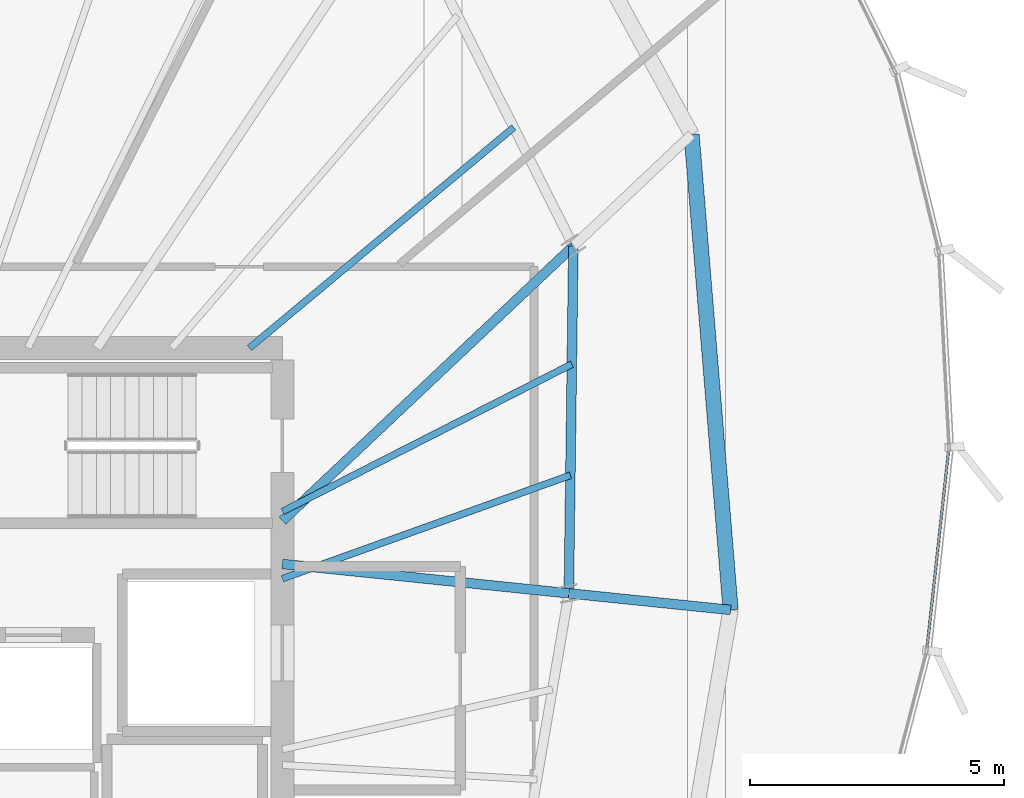
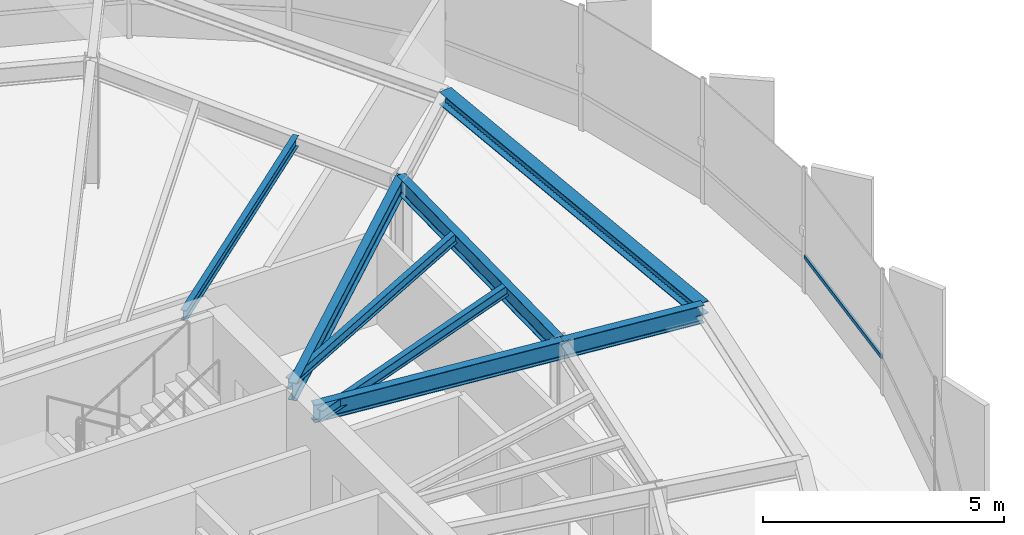
# One storey, part 17 of 36: 8 beams, 1 member, 1 element without a shape of its own.
"""IFC4 building model written with IfcOpenShell, lengths in metres."""

import ifcopenshell
import ifcopenshell.guid

model = None  # the IFC model being written
_history = None  # IfcOwnerHistory: only IFC2X3 demands one
_inside = {}  # id of a spatial element -> (the spatial element, [elements in it])
_under = {}  # id of a project, library or spatial element -> (it, [spatial elements below it])
_declared = {}  # id of a project -> (the project, [libraries it declares])
_typed = {}  # id of a type object -> (the type object, [elements of that type])
_made_of = {}  # id of a material, layer set ... -> (it, [elements and type objects made of it])


def new_model(schema):
    """Start an empty IFC model of exactly this schema.

    Asked for "IFC4X3", IfcOpenShell would pick the latest addendum, in which some entities
    have other attributes; the version numbers below select the first issue.
    IFC2X3 requires an IfcOwnerHistory on every rooted entity: one is made here for all.
    """
    global model, _history
    if schema == "IFC4X3":
        model = ifcopenshell.file(schema_version=(4, 3, 0, 0))
    else:
        model = ifcopenshell.file(schema=schema)
    _inside.clear()
    _under.clear()
    _declared.clear()
    _typed.clear()
    _made_of.clear()
    _history = None
    if model.schema == "IFC2X3":
        org = make("IfcOrganization", Name="unknown")
        user = make(
            "IfcPersonAndOrganization",
            ThePerson=make("IfcPerson", FamilyName="unknown"),
            TheOrganization=org,
        )
        app = make(
            "IfcApplication",
            ApplicationDeveloper=org,
            Version="unknown",
            ApplicationFullName="unknown",
            ApplicationIdentifier="unknown",
        )
        _history = make(
            "IfcOwnerHistory",
            OwningUser=user,
            OwningApplication=app,
            ChangeAction="ADDED",
            CreationDate=0,
        )
    return model


def make(cls, **values):
    """One entity of the class cls with the attributes given. An attribute that is None is left unset."""
    return model.create_entity(
        cls, **{name: value for name, value in values.items() if value is not None}
    )


def rooted(cls, **values):
    """An entity with a GlobalId (a new one), such as an element, a storey or a relation."""
    return make(cls, GlobalId=ifcopenshell.guid.new(), OwnerHistory=_history, **values)


def si_unit(unit_type, name, prefix=None):
    """IfcSIUnit, for example si_unit("LENGTHUNIT", "METRE", prefix="MILLI")."""
    return make("IfcSIUnit", UnitType=unit_type, Prefix=prefix, Name=name)


def assignment(units):
    """IfcUnitAssignment: the units of a project."""
    return None if units is None else make("IfcUnitAssignment", Units=units)


def point(xyz):
    """IfcCartesianPoint."""
    return None if xyz is None else make("IfcCartesianPoint", Coordinates=xyz)


def direction(xyz):
    """IfcDirection."""
    return None if xyz is None else make("IfcDirection", DirectionRatios=xyz)


def frame(location, z_axis=None, x_axis=None):
    """IfcAxis2Placement3D, a coordinate frame: its origin and axes. An axis left out is left unset."""
    return make(
        "IfcAxis2Placement3D",
        Location=point(location),
        Axis=direction(z_axis),
        RefDirection=direction(x_axis),
    )


def frame_2d(location, x_axis=None):
    """IfcAxis2Placement2D, a coordinate frame in the plane: its origin and x axis."""
    return make(
        "IfcAxis2Placement2D", Location=point(location), RefDirection=direction(x_axis)
    )


def origin():
    """The frame at (0, 0, 0) with its axes left unset."""
    return frame((0.0, 0.0, 0.0))


def origin_2d():
    """The frame at (0, 0) in the plane with its x axis left unset."""
    return frame_2d((0.0, 0.0))


def place(relative_to, where):
    """IfcLocalPlacement: puts the frame where relative to a parent placement (None: the world)."""
    return make(
        "IfcLocalPlacement", PlacementRelTo=relative_to, RelativePlacement=where
    )


def context(
    kind, dimensions, precision=None, world=None, true_north=None, identifier=None
):
    """IfcGeometricRepresentationContext, for example the 3D "Model" context."""
    return make(
        "IfcGeometricRepresentationContext",
        ContextIdentifier=identifier,
        ContextType=kind,
        CoordinateSpaceDimension=dimensions,
        Precision=precision,
        WorldCoordinateSystem=world,
        TrueNorth=true_north,
    )


def subcontext(parent, identifier, kind, view, scale=None):
    """IfcGeometricRepresentationSubContext, for example "Body" below "Model"."""
    return make(
        "IfcGeometricRepresentationSubContext",
        ContextIdentifier=identifier,
        ContextType=kind,
        ParentContext=parent,
        TargetScale=scale,
        TargetView=view,
    )


def project(units=None, contexts=None):
    """IfcProject with its units and contexts."""
    return rooted(
        "IfcProject",
        Name="project",
        RepresentationContexts=contexts,
        UnitsInContext=assignment(units),
    )


def spatial(cls, under=None, at=None, **own):
    """A site, building, storey or space (cls), placed at a placement, below another one or the project."""
    s = rooted(cls, ObjectPlacement=at, **own)
    if under is not None:
        _under.setdefault(under.id(), (under, []))[1].append(s)
    return s


def profile(cls, at=None, kind="AREA", **sizes):
    """A parametric profile (cls). Its sizes go by their IFC names, for example OverallWidth=200.0."""
    return make(cls, ProfileType=kind, Position=at, **sizes)


def hollow_rectangle(**sizes):
    """IfcRectangleHollowProfileDef."""
    return profile("IfcRectangleHollowProfileDef", **sizes)


def i_section(**sizes):
    """IfcIShapeProfileDef."""
    return profile("IfcIShapeProfileDef", **sizes)


def extrude(swept, where, along, depth):
    """IfcExtrudedAreaSolid: the profile swept, set in the frame where, extruded along a direction by depth."""
    return make(
        "IfcExtrudedAreaSolid",
        SweptArea=swept,
        Position=where,
        ExtrudedDirection=direction(along),
        Depth=depth,
    )


def shape(context_of_items, identifier, shape_type, items):
    """IfcShapeRepresentation: the items that make up one representation, for example the "Body"."""
    return make(
        "IfcShapeRepresentation",
        ContextOfItems=context_of_items,
        RepresentationIdentifier=identifier,
        RepresentationType=shape_type,
        Items=items,
    )


def source(mapping_origin, context_of_items, identifier, shape_type, items):
    """IfcRepresentationMap: a shape defined once, which mapped items show again and again."""
    return make(
        "IfcRepresentationMap",
        MappingOrigin=mapping_origin,
        MappedRepresentation=shape(context_of_items, identifier, shape_type, items),
    )


def transform(
    local_origin,
    x_axis=None,
    y_axis=None,
    z_axis=None,
    scale=None,
    scale2=None,
    scale3=None,
    uniform=True,
):
    """IfcCartesianTransformationOperator3D, or its non-uniform kind. x_axis, y_axis, z_axis: its Axis1, 2, 3."""
    if uniform:
        return make(
            "IfcCartesianTransformationOperator3D",
            Axis1=direction(x_axis),
            Axis2=direction(y_axis),
            LocalOrigin=point(local_origin),
            Scale=scale,
            Axis3=direction(z_axis),
        )
    return make(
        "IfcCartesianTransformationOperator3DnonUniform",
        Axis1=direction(x_axis),
        Axis2=direction(y_axis),
        LocalOrigin=point(local_origin),
        Scale=scale,
        Axis3=direction(z_axis),
        Scale2=scale2,
        Scale3=scale3,
    )


def mapped(mapping_source, mapping_target):
    """IfcMappedItem: shows the shape of a source again, moved by a transform."""
    return make(
        "IfcMappedItem", MappingSource=mapping_source, MappingTarget=mapping_target
    )


def material(Name=None, Category=None):
    """IfcMaterial."""
    return make("IfcMaterial", Name=Name, Category=Category)


def layer(
    of_material, thickness, ventilated=None, Name=None, Category=None, Priority=None
):
    """IfcMaterialLayer: one layer of a wall or slab, of a material (None: an air gap)."""
    return make(
        "IfcMaterialLayer",
        Material=of_material,
        LayerThickness=thickness,
        IsVentilated=ventilated,
        Name=Name,
        Category=Category,
        Priority=Priority,
    )


def layer_set(layers, Name=None):
    """IfcMaterialLayerSet."""
    return make("IfcMaterialLayerSet", MaterialLayers=layers, LayerSetName=Name)


def material_profile(
    of_material, cross_section, Name=None, Category=None, Priority=None
):
    """IfcMaterialProfile: a cross section and its material."""
    return make(
        "IfcMaterialProfile",
        Name=Name,
        Material=of_material,
        Profile=cross_section,
        Priority=Priority,
        Category=Category,
    )


def profile_set(profiles, Name=None, composite=None):
    """IfcMaterialProfileSet."""
    return make(
        "IfcMaterialProfileSet",
        Name=Name,
        MaterialProfiles=profiles,
        CompositeProfile=composite,
    )


def made_of(thing, what):
    """Note that an element or type object is made of a material, layer set ...; save() writes the relation."""
    if what is not None:
        _made_of.setdefault(what.id(), (what, []))[1].append(thing)
    return thing


def type_object(cls, material=None, **own):
    """A type object (cls), such as IfcWallType, which elements share."""
    return made_of(rooted(cls, **own), material)


def element(
    cls,
    number,
    at=None,
    inside=None,
    cuts=None,
    type_object=None,
    material=None,
    context=None,
    identifier="Body",
    shape_type=None,
    held_by="IfcProductDefinitionShape",
    body=None,
    shapes=None,
    **own,
):
    """One element of the class cls, such as IfcWall. Its Tag is "e" and its number.

    at: its placement. inside: the storey or other place that contains it. cuts: it is an
    opening in that element (IfcRelVoidsElement). A single representation is given by context,
    identifier, shape_type and body (its items); several are given by shapes. held_by: the class
    of the entity that holds the representations. save() writes the other relations.
    """
    e = rooted(cls, Tag="e%d" % number, ObjectPlacement=at, **own)
    if body is not None:
        shapes = [shape(context, identifier, shape_type, body)]
    if shapes is not None:
        e.Representation = make(held_by, Representations=shapes)
    if inside is not None:
        _inside.setdefault(inside.id(), (inside, []))[1].append(e)
    if cuts is not None:
        rooted(
            "IfcRelVoidsElement", RelatingBuildingElement=cuts, RelatedOpeningElement=e
        )
    if type_object is not None:
        _typed.setdefault(type_object.id(), (type_object, []))[1].append(e)
    return made_of(e, material)


def aggregate(whole, parts):
    """IfcRelAggregates: a whole, such as a stair, and the parts it consists of."""
    return rooted("IfcRelAggregates", RelatingObject=whole, RelatedObjects=parts)


def save(model, path):
    """Write the relations noted so far, then the file.

    IfcRelAggregates (storeys below a building ...), IfcRelContainedInSpatialStructure (elements
    in a storey), IfcRelDefinesByType, IfcRelAssociatesMaterial and IfcRelDeclares: one each for
    every whole, place, type object, material and project.
    """
    for whole, parts in _under.values():
        aggregate(whole, parts)
    for where, things in _inside.values():
        rooted(
            "IfcRelContainedInSpatialStructure",
            RelatedElements=things,
            RelatingStructure=where,
        )
    for kind, things in _typed.values():
        rooted("IfcRelDefinesByType", RelatedObjects=things, RelatingType=kind)
    for what, things in _made_of.values():
        rooted("IfcRelAssociatesMaterial", RelatedObjects=things, RelatingMaterial=what)
    for by, libraries in _declared.values():
        rooted("IfcRelDeclares", RelatingContext=by, RelatedDefinitions=libraries)
    model.write(path)


model = new_model("IFC4")

# Units and contexts
model_context = context("Model", 3, precision=1e-05, world=origin(), true_north=direction((0.0, 1.0)))
body_context = subcontext(model_context, "Body", "Model", "MODEL_VIEW")
ifc_project = project(units=[si_unit("LENGTHUNIT", "METRE"), si_unit("AREAUNIT", "SQUARE_METRE"), si_unit("VOLUMEUNIT", "CUBIC_METRE"), si_unit("PLANEANGLEUNIT", "RADIAN"), si_unit("MASSUNIT", "GRAM", prefix="KILO"), si_unit("THERMODYNAMICTEMPERATUREUNIT", "KELVIN")], contexts=[model_context])

# Site, building, storey
site_placement = place(None, origin())
site = spatial("IfcSite", under=ifc_project, at=site_placement, CompositionType="ELEMENT")
building_placement = place(site_placement, origin())
building = spatial("IfcBuilding", under=site, at=building_placement, Name="Kethvar Cultural Tower", CompositionType="ELEMENT")
storey_placement = place(building_placement, frame((0.0, 0.0, 228.39990234375)))
storey = spatial("IfcBuildingStorey", under=building, at=storey_placement, Name="L59", CompositionType="ELEMENT", Elevation=228.39990234375)

# Beams
ifc_material_1 = material(Name="Steel S355J2", Category="steel")
ifc_material_profile_1 = material_profile(ifc_material_1, i_section(OverallWidth=0.18994140625, OverallDepth=0.449951171875, WebThickness=0.009521484375, FlangeThickness=0.0146484375, FilletRadius=0.02099609375, at=origin_2d()), Name="Steel S355J2 — IPE450")
ifc_profile_set_1 = profile_set([ifc_material_profile_1], Name="Steel S355J2 — IPE450")
beam_type_1 = type_object("IfcBeamType", Name="BM-IPE450", PredefinedType="BEAM", material=ifc_profile_set_1)
shared_shape_1 = source(origin(), body_context, "Body", "SweptSolid", [
    extrude(i_section(OverallWidth=0.18994140625, OverallDepth=0.449951171875, WebThickness=0.009521484375, FlangeThickness=0.0146484375, FilletRadius=0.02099609375, at=origin_2d()), origin(), (0.0, 0.0, 1.0), 5.66650390625),
])
beam_1_placement = place(storey_placement, frame((55.60009765625, 31.25, 2.983154296875), z_axis=(0.994777513459, -0.102067128476, 0.0), x_axis=(0.102067128476, 0.994777513459, 0.0)))
element("IfcBeam", 1, at=beam_1_placement, inside=storey, type_object=beam_type_1, Name="L59 Primary Radial Beam RB-01", PredefinedType="BEAM", context=body_context, shape_type="MappedRepresentation", body=[
    mapped(shared_shape_1, transform((0.0, 0.0, 0.0), scale=1.0)),
])
shared_shape_2 = source(origin(), body_context, "Body", "SweptSolid", [
    extrude(i_section(OverallWidth=0.18994140625, OverallDepth=0.449951171875, WebThickness=0.009521484375, FlangeThickness=0.0146484375, FilletRadius=0.02099609375, at=origin_2d()), origin(), (0.0, 0.0, 1.0), 3.199951171875),
])
beam_2_placement = place(storey_placement, frame((61.237060546875, 30.671630859375, 2.983154296875), z_axis=(0.994784019447, -0.10200369921, 0.0), x_axis=(0.10200369921, 0.994784019447, 0.0)))
element("IfcBeam", 2, at=beam_2_placement, inside=storey, type_object=beam_type_1, Name="L59 Perimeter Cantilever Beam RC-01", PredefinedType="BEAM", context=body_context, shape_type="MappedRepresentation", body=[
    mapped(shared_shape_2, transform((0.0, 0.0, 0.0), scale=1.0)),
])
shared_shape_3 = source(origin(), body_context, "Body", "SweptSolid", [
    extrude(i_section(OverallWidth=0.18994140625, OverallDepth=0.449951171875, WebThickness=0.009521484375, FlangeThickness=0.0146484375, FilletRadius=0.02099609375, at=origin_2d()), origin(), (0.0, 0.0, 1.0), 7.874267578125),
])
beam_3_placement = place(storey_placement, frame((55.60009765625, 32.10009765625, 2.983154296875), z_axis=(0.727123202456, 0.686506990823, 0.0), x_axis=(-0.686506990823, 0.727123202456, 0.0)))
element("IfcBeam", 3, at=beam_3_placement, inside=storey, type_object=beam_type_1, Name="L59 Primary Radial Beam RB-02", PredefinedType="BEAM", context=body_context, shape_type="MappedRepresentation", body=[
    mapped(shared_shape_3, transform((0.0, 0.0, 0.0), scale=1.0)),
])
shared_shape_4 = source(origin(), body_context, "Body", "SweptSolid", [
    extrude(i_section(OverallWidth=0.18994140625, OverallDepth=0.449951171875, WebThickness=0.009521484375, FlangeThickness=0.0146484375, FilletRadius=0.02099609375, at=origin_2d()), origin(), (0.0, 0.0, 1.0), 6.834716796875),
])
beam_4_placement = place(storey_placement, frame((61.237060546875, 30.671630859375, 2.983154296875), z_axis=(0.012966437445, 0.999915932216, 0.0), x_axis=(-0.999915932216, 0.012966437445, 0.0)))
element("IfcBeam", 4, at=beam_4_placement, inside=storey, type_object=beam_type_1, Name="L59 Column Ring Tie Beam CR-01", PredefinedType="BEAM", context=body_context, shape_type="MappedRepresentation", body=[
    mapped(shared_shape_4, transform((0.0, 0.0, 0.0), scale=1.0)),
])
ifc_material_profile_2 = material_profile(ifc_material_1, i_section(OverallWidth=0.300048828125, OverallDepth=0.320068359375, WebThickness=0.011474609375, FlangeThickness=0.0205078125, FilletRadius=0.027099609375, at=origin_2d()), Name="Steel S355J2 — HEB320")
ifc_profile_set_2 = profile_set([ifc_material_profile_2], Name="Steel S355J2 — HEB320")
beam_type_2 = type_object("IfcBeamType", Name="BM-SP320", PredefinedType="SPANDREL", material=ifc_profile_set_2)
shared_shape_5 = source(origin(), body_context, "Body", "SweptSolid", [
    extrude(i_section(OverallWidth=0.300048828125, OverallDepth=0.320068359375, WebThickness=0.011474609375, FlangeThickness=0.0205078125, FilletRadius=0.027099609375, at=origin_2d()), origin(), (0.0, 0.0, 1.0), 9.388916015625),
])
beam_5_placement = place(storey_placement, frame((64.42041015625, 30.34521484375, 3.048095703125), z_axis=(-0.08178004371, 0.996650402323, 0.0), x_axis=(-0.996650402323, -0.08178004371, 0.0)))
element("IfcBeam", 5, at=beam_5_placement, inside=storey, type_object=beam_type_2, Name="L59 Perimeter Spandrel Beam SP-01", PredefinedType="SPANDREL", context=body_context, shape_type="MappedRepresentation", body=[
    mapped(shared_shape_5, transform((0.0, 0.0, 0.0), scale=1.0)),
])
ifc_material_profile_3 = material_profile(ifc_material_1, i_section(OverallWidth=0.135009765625, OverallDepth=0.27001953125, WebThickness=0.006591796875, FlangeThickness=0.01025390625, FilletRadius=0.014892578125, at=origin_2d()), Name="Steel S355J2 — IPE270")
ifc_profile_set_3 = profile_set([ifc_material_profile_3], Name="Steel S355J2 — IPE270")
beam_type_3 = type_object("IfcBeamType", Name="BM-J270", PredefinedType="JOIST", material=ifc_profile_set_3)
shared_shape_6 = source(origin(), body_context, "Body", "SweptSolid", [
    extrude(i_section(OverallWidth=0.135009765625, OverallDepth=0.27001953125, WebThickness=0.006591796875, FlangeThickness=0.01025390625, FilletRadius=0.014892578125, at=origin_2d()), origin(), (0.0, 0.0, 1.0), 6.021240234375),
])
beam_6_placement = place(storey_placement, frame((55.60009765625, 30.960205078125, 3.072998046875), z_axis=(0.94114970072, 0.337990001086, 0.0), x_axis=(-0.337990001086, 0.94114970072, 0.0)))
element("IfcBeam", 6, at=beam_6_placement, inside=storey, type_object=beam_type_3, Name="L59 Composite Floor Joist J-01A", PredefinedType="JOIST", context=body_context, shape_type="MappedRepresentation", body=[
    mapped(shared_shape_6, transform((0.0, 0.0, 0.0), scale=1.0)),
])
shared_shape_7 = source(origin(), body_context, "Body", "SweptSolid", [
    extrude(i_section(OverallWidth=0.135009765625, OverallDepth=0.27001953125, WebThickness=0.006591796875, FlangeThickness=0.01025390625, FilletRadius=0.014892578125, at=origin_2d()), origin(), (0.0, 0.0, 1.0), 6.3916015625),
])
beam_7_placement = place(storey_placement, frame((55.60009765625, 32.281494140625, 3.072998046875), z_axis=(0.891094874615, 0.453817060538, 0.0), x_axis=(-0.453817060538, 0.891094874615, 0.0)))
element("IfcBeam", 7, at=beam_7_placement, inside=storey, type_object=beam_type_3, Name="L59 Composite Floor Joist J-01B", PredefinedType="JOIST", context=body_context, shape_type="MappedRepresentation", body=[
    mapped(shared_shape_7, transform((0.0, 0.0, 0.0), scale=1.0)),
])
shared_shape_8 = source(origin(), body_context, "Body", "SweptSolid", [
    extrude(i_section(OverallWidth=0.135009765625, OverallDepth=0.27001953125, WebThickness=0.006591796875, FlangeThickness=0.01025390625, FilletRadius=0.014892578125, at=origin_2d()), origin(), (0.0, 0.0, 1.0), 6.776123046875),
])
beam_8_placement = place(storey_placement, frame((54.949951171875, 35.5, 3.072998046875), z_axis=(0.767801747857, 0.6406875026, 0.0), x_axis=(-0.6406875026, 0.767801747857, 0.0)))
element("IfcBeam", 8, at=beam_8_placement, inside=storey, type_object=beam_type_3, Name="L59 Composite Floor Joist J-02A", PredefinedType="JOIST", context=body_context, shape_type="MappedRepresentation", body=[
    mapped(shared_shape_8, transform((0.0, 0.0, 0.0), scale=1.0)),
])

# Curtain wall, member
ifc_material_2 = material(Name="Aluminium 6063-T6", Category="aluminium")
ifc_layer = layer(ifc_material_2, 0.179931640625, Name="Aluminium 6063-T6", Category="aluminium")
ifc_layer_set = layer_set([ifc_layer], Name="Aluminium 6063-T6 (180 mm)")
curtain_wall_type = type_object("IfcCurtainWallType", Name="CW-SYS-05-Z56", PredefinedType="NOTDEFINED", material=ifc_layer_set)
curtain_wall_placement = place(storey_placement, origin())
curtain_wall = element("IfcCurtainWall", 9, at=curtain_wall_placement, inside=storey, type_object=curtain_wall_type, Name="L59 Curtain Wall Run 06", PredefinedType="NOTDEFINED")
ifc_material_profile_4 = material_profile(ifc_material_2, hollow_rectangle(XDim=0.050048828125, YDim=0.10009765625, WallThickness=0.00390625, at=origin_2d()), Name="Aluminium 6063-T6 — RHS100x50x4")
ifc_profile_set_4 = profile_set([ifc_material_profile_4], Name="Aluminium 6063-T6 — RHS100x50x4")
member_type = type_object("IfcMemberType", Name="CW-SYS-05-Z56-TRN", PredefinedType="USERDEFINED", material=ifc_profile_set_4)
shared_shape_9 = source(origin(), body_context, "Body", "SweptSolid", [
    extrude(hollow_rectangle(XDim=0.050048828125, YDim=0.10009765625, WallThickness=0.00390625, at=origin_2d()), origin(), (0.0, 0.0, 1.0), 3.964111328125),
])
member_placement = place(storey_placement, frame((68.2841796875, 29.583740234375, 0.9501953125), z_axis=(0.108579195534, 0.994087802107, 0.0), x_axis=(-0.994087802107, 0.108579195534, 0.0)))
member = element("IfcMember", 10, at=member_placement, type_object=member_type, Name="CW-L59-R06 Transom 2", ObjectType="TRANSOM", PredefinedType="USERDEFINED", context=body_context, shape_type="MappedRepresentation", body=[
    mapped(shared_shape_9, transform((0.0, 0.0, 0.0), scale=1.0)),
])
aggregate(curtain_wall, [member])

save(model, "model.ifc")
